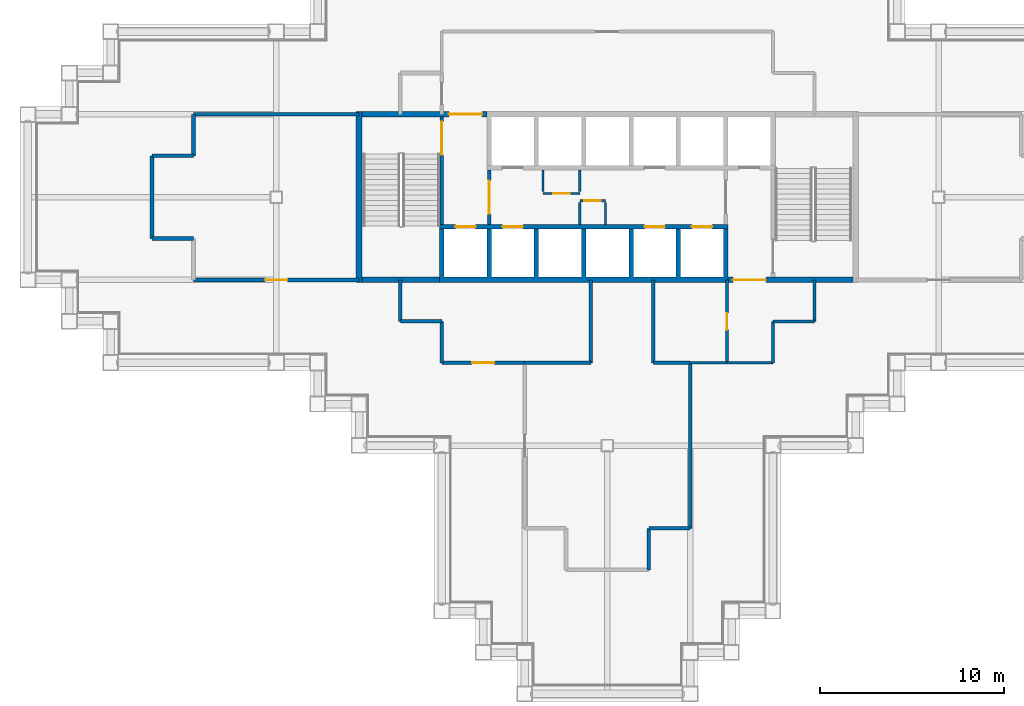
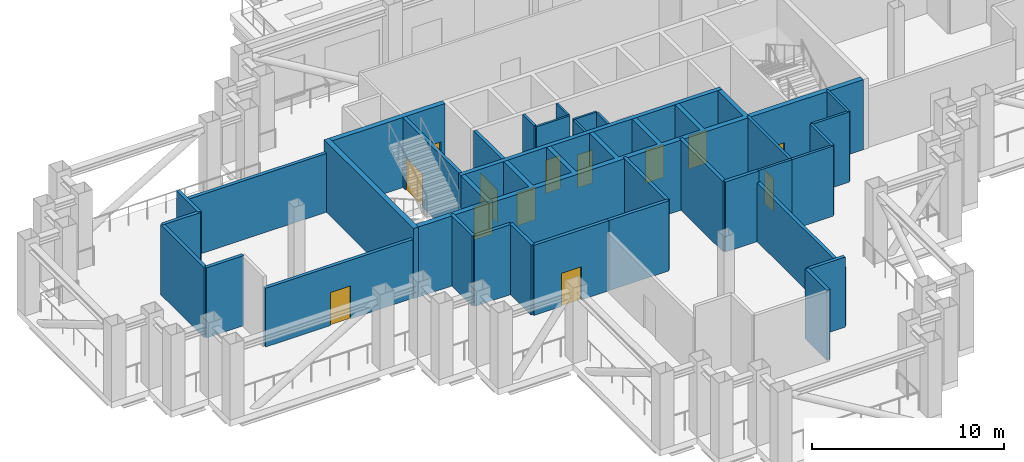
# One storey, part 3 of 10: 37 walls, 13 doors, 13 openings.
"""IFC4 building model written with IfcOpenShell, lengths in metres."""

from ifc_helpers import new_model, si_unit, direction, frame, frame_2d, origin, place, context, subcontext, project, spatial, polyline, rectangle, outline, extrude, material, layer, layer_set, type_object, element, fill, save


model = new_model("IFC4")

# Units and contexts
model_context = context("Model", 3, precision=1e-05, world=origin(), true_north=direction((0.0, 1.0)))
body_context = subcontext(model_context, "Body", "Model", "MODEL_VIEW")
ifc_project = project(units=[si_unit("LENGTHUNIT", "METRE"), si_unit("AREAUNIT", "SQUARE_METRE"), si_unit("VOLUMEUNIT", "CUBIC_METRE"), si_unit("PLANEANGLEUNIT", "RADIAN"), si_unit("MASSUNIT", "GRAM", prefix="KILO")], contexts=[model_context])

# Site, building, storey
site_placement = place(None, origin())
site = spatial("IfcSite", under=ifc_project, at=site_placement, CompositionType="ELEMENT")
building_placement = place(site_placement, origin())
building = spatial("IfcBuilding", under=site, at=building_placement, Name="Caravel Reach Hotel and Residences", CompositionType="ELEMENT")
storey_placement = place(building_placement, frame((0.0, 0.0, 140.39990234375)))
storey = spatial("IfcBuildingStorey", under=building, at=storey_placement, Name="L35", CompositionType="ELEMENT", Elevation=140.39990234375)

# Wall, opening, door
ifc_material_1 = material(Name="Autoclaved aerated block wall")
ifc_layer_1 = layer(ifc_material_1, 0.199951171875)
ifc_layer_set_1 = layer_set([ifc_layer_1], Name="Compartment wall 200 mm EI 120")
wall_type_1 = type_object("IfcWallType", Name="Compartment wall 200 mm EI 120", PredefinedType="PARTITIONING", material=ifc_layer_set_1)
wall_1_placement = place(storey_placement, frame((22.5, 18.0, 0.0), z_axis=(0.0, 0.0, 1.0), x_axis=(1.0, 0.0, 0.0)))
wall_1 = element("IfcWall", 1, at=wall_1_placement, inside=storey, type_object=wall_type_1, Name="L35 wall w012", PredefinedType="PARTITIONING", context=body_context, shape_type="SweptSolid", body=[
    extrude(rectangle(XDim=4.5, YDim=0.199951171875, at=frame_2d((2.25, 0.0))), origin(), (0.0, 0.0, 1.0), 4.4501953125),
])
opening_1_placement = place(wall_1_placement, frame((1.64990234375, 0.0, 0.0)))
opening_1 = element("IfcOpeningElement", 2, at=opening_1_placement, cuts=wall_1, Name="Opening D35-016", PredefinedType="OPENING", context=body_context, shape_type="SweptSolid", body=[
    extrude(rectangle(XDim=1.199951171875, YDim=2.10009765625, at=frame_2d((0.60009765625, 1.050048828125))), frame((0.0, 0.10986328125, 0.0), z_axis=(0.0, -1.0, 0.0), x_axis=(1.0, 0.0, 0.0)), (0.0, 0.0, 1.0), 0.219970703125),
])
ifc_material_2 = material(Name="Steel fire door leaf", Category="steel")
door_type_1 = type_object("IfcDoorType", Name="Plant room door 1200 x 2100 EI 60", OperationType="SINGLE_SWING_LEFT", PredefinedType="DOOR", material=ifc_material_2)
door_1_placement = place(opening_1_placement, origin())
door_1 = element("IfcDoor", 3, at=door_1_placement, inside=storey, type_object=door_type_1, Name="door D35-016", OperationType="SINGLE_SWING_LEFT", OverallHeight=2.10009765625, OverallWidth=1.199951171875, PredefinedType="DOOR", context=body_context, shape_type="SweptSolid", body=[
    extrude(rectangle(XDim=1.199951171875, YDim=2.10009765625, at=frame_2d((0.60009765625, 1.050048828125))), frame((0.0, 0.02490234375, 0.0), z_axis=(0.0, -1.0, 0.0), x_axis=(1.0, 0.0, 0.0)), (0.0, 0.0, 1.0), 0.050048828125),
])
fill(opening_1, door_1)

# Walls
wall_2_placement = place(storey_placement, frame((27.0, 18.0, 0.0), z_axis=(0.0, 0.0, 1.0), x_axis=(1.0, 0.0, 0.0)))
element("IfcWall", 4, at=wall_2_placement, inside=storey, type_object=wall_type_1, Name="L35 wall w013", PredefinedType="PARTITIONING", context=body_context, shape_type="SweptSolid", body=[
    extrude(rectangle(XDim=3.60009765625, YDim=0.199951171875, at=frame_2d((1.800048828125, 0.0))), origin(), (0.0, 0.0, 1.0), 4.4501953125),
])
wall_3_placement = place(storey_placement, frame((34.0, 18.0, 0.0), z_axis=(0.0, 0.0, 1.0), x_axis=(1.0, 0.0, 0.0)))
element("IfcWall", 5, at=wall_3_placement, inside=storey, type_object=wall_type_1, Name="L35 wall w014", PredefinedType="PARTITIONING", context=body_context, shape_type="SweptSolid", body=[
    extrude(rectangle(XDim=2.0, YDim=0.199951171875, at=frame_2d((1.0, 0.0))), origin(), (0.0, 0.0, 1.0), 4.4501953125),
])
wall_4_placement = place(storey_placement, frame((20.25, 20.25, 0.0), z_axis=(0.0, 0.0, 1.0), x_axis=(1.0, 0.0, 0.0)))
element("IfcWall", 6, at=wall_4_placement, inside=storey, type_object=wall_type_1, Name="L35 wall w015", PredefinedType="PARTITIONING", context=body_context, shape_type="SweptSolid", body=[
    extrude(rectangle(XDim=2.25, YDim=0.199951171875, at=frame_2d((1.125, 0.0))), origin(), (0.0, 0.0, 1.0), 4.4501953125),
])

# Wall, opening, door
wall_5_placement = place(storey_placement, frame((9.0, 22.5, 0.0), z_axis=(0.0, 0.0, 1.0), x_axis=(1.0, 0.0, 0.0)))
wall_5 = element("IfcWall", 7, at=wall_5_placement, inside=storey, type_object=wall_type_1, Name="L35 wall w016", PredefinedType="PARTITIONING", context=body_context, shape_type="SweptSolid", body=[
    extrude(rectangle(XDim=9.0, YDim=0.199951171875, at=frame_2d((4.5, 0.0))), origin(), (0.0, 0.0, 1.0), 3.72998046875),
])
opening_2_placement = place(wall_5_placement, frame((3.89990234375, 0.0, 0.0)))
opening_2 = element("IfcOpeningElement", 8, at=opening_2_placement, cuts=wall_5, Name="Opening D35-020", PredefinedType="OPENING", context=body_context, shape_type="SweptSolid", body=[
    extrude(rectangle(XDim=1.199951171875, YDim=2.10009765625, at=frame_2d((0.60009765625, 1.050048828125))), frame((0.0, 0.10986328125, 0.0), z_axis=(0.0, -1.0, 0.0), x_axis=(1.0, 0.0, 0.0)), (0.0, 0.0, 1.0), 0.219970703125),
])
door_2_placement = place(opening_2_placement, origin())
door_2 = element("IfcDoor", 9, at=door_2_placement, inside=storey, type_object=door_type_1, Name="door D35-020", OperationType="SINGLE_SWING_RIGHT", OverallHeight=2.10009765625, OverallWidth=1.199951171875, PredefinedType="DOOR", context=body_context, shape_type="SweptSolid", body=[
    extrude(rectangle(XDim=1.199951171875, YDim=2.10009765625, at=frame_2d((0.60009765625, 1.050048828125))), frame((0.0, 0.02490234375, 0.0), z_axis=(0.0, -1.0, 0.0), x_axis=(1.0, 0.0, 0.0)), (0.0, 0.0, 1.0), 0.050048828125),
])
fill(opening_2, door_2)

# Walls
for number, where, z_axis, x_axis, name in (
    (10, (6.75, 24.75, 0.0), (0.0, 0.0, 1.0), (1.0, 0.0, 0.0), "L35 wall w018"),
    (11, (6.75, 29.25, 0.0), (0.0, 0.0, 1.0), (1.0, 0.0, 0.0), "L35 wall w020"),
):
    element("IfcWall", number, at=place(storey_placement, frame(where, z_axis=z_axis, x_axis=x_axis)), inside=storey, type_object=wall_type_1, Name=name, PredefinedType="PARTITIONING", context=body_context, shape_type="SweptSolid", body=[
        extrude(rectangle(XDim=2.25, YDim=0.199951171875, at=frame_2d((1.125, 0.0))), origin(), (0.0, 0.0, 1.0), 4.4501953125),
    ])
wall_6_placement = place(storey_placement, frame((9.0, 31.5, 0.0), z_axis=(0.0, 0.0, 1.0), x_axis=(1.0, 0.0, 0.0)))
element("IfcWall", 12, at=wall_6_placement, inside=storey, type_object=wall_type_1, Name="L35 wall w022", PredefinedType="PARTITIONING", context=body_context, shape_type="SweptSolid", body=[
    extrude(rectangle(XDim=9.0, YDim=0.199951171875, at=frame_2d((4.5, 0.0))), origin(), (0.0, 0.0, 1.0), 3.72998046875),
])
for number, where, z_axis, x_axis, name in (
    (13, (33.75, 9.0, 0.0), (0.0, 0.0, 1.0), (1.0, 0.0, 0.0), "L35 wall w027"),
    (14, (20.25, 20.25, 0.0), (0.0, 0.0, 1.0), (0.0, 1.0, 0.0), "L35 wall w028"),
    (15, (22.5, 18.0, 0.0), (0.0, 0.0, 1.0), (0.0, 1.0, 0.0), "L35 wall w030"),
):
    element("IfcWall", number, at=place(storey_placement, frame(where, z_axis=z_axis, x_axis=x_axis)), inside=storey, type_object=wall_type_1, Name=name, PredefinedType="PARTITIONING", context=body_context, shape_type="SweptSolid", body=[
        extrude(rectangle(XDim=2.25, YDim=0.199951171875, at=frame_2d((1.125, 0.0))), origin(), (0.0, 0.0, 1.0), 4.4501953125),
    ])
wall_7_placement = place(storey_placement, frame((30.60009765625, 18.0, 0.0), z_axis=(0.0, 0.0, 1.0), x_axis=(0.0, 1.0, 0.0)))
element("IfcWall", 16, at=wall_7_placement, inside=storey, type_object=wall_type_1, Name="L35 wall w034", PredefinedType="PARTITIONING", context=body_context, shape_type="SweptSolid", body=[
    extrude(rectangle(XDim=4.5, YDim=0.199951171875, at=frame_2d((2.25, 0.0))), origin(), (0.0, 0.0, 1.0), 4.4501953125),
])
wall_8_placement = place(storey_placement, frame((33.75, 6.75, 0.0), z_axis=(0.0, 0.0, 1.0), x_axis=(0.0, 1.0, 0.0)))
element("IfcWall", 17, at=wall_8_placement, inside=storey, type_object=wall_type_1, Name="L35 wall w035", PredefinedType="PARTITIONING", context=body_context, shape_type="SweptSolid", body=[
    extrude(rectangle(XDim=2.25, YDim=0.199951171875, at=frame_2d((1.125, 0.0))), origin(), (0.0, 0.0, 1.0), 4.4501953125),
])
wall_9_placement = place(storey_placement, frame((34.0, 18.0, 0.0), z_axis=(0.0, 0.0, 1.0), x_axis=(0.0, 1.0, 0.0)))
element("IfcWall", 18, at=wall_9_placement, inside=storey, type_object=wall_type_1, Name="L35 wall w036", PredefinedType="PARTITIONING", context=body_context, shape_type="SweptSolid", body=[
    extrude(rectangle(XDim=4.5, YDim=0.199951171875, at=frame_2d((2.25, 0.0))), origin(), (0.0, 0.0, 1.0), 4.4501953125),
])
wall_10_placement = place(storey_placement, frame((36.0, 9.0, 0.0), z_axis=(0.0, 0.0, 1.0), x_axis=(0.0, 1.0, 0.0)))
element("IfcWall", 19, at=wall_10_placement, inside=storey, type_object=wall_type_1, Name="L35 wall w037", PredefinedType="PARTITIONING", context=body_context, shape_type="SweptSolid", body=[
    extrude(rectangle(XDim=9.0, YDim=0.199951171875, at=frame_2d((4.5, 0.0))), origin(), (0.0, 0.0, 1.0), 3.72998046875),
])
wall_11_placement = place(storey_placement, frame((6.75, 24.75, 0.0), z_axis=(0.0, 0.0, 1.0), x_axis=(0.0, 1.0, 0.0)))
element("IfcWall", 20, at=wall_11_placement, inside=storey, type_object=wall_type_1, Name="L35 wall w041", PredefinedType="PARTITIONING", context=body_context, shape_type="SweptSolid", body=[
    extrude(rectangle(XDim=4.5, YDim=0.199951171875, at=frame_2d((2.25, 0.0))), origin(), (0.0, 0.0, 1.0), 4.4501953125),
])
wall_12_placement = place(storey_placement, frame((9.0, 29.25, 0.0), z_axis=(0.0, 0.0, 1.0), x_axis=(0.0, 1.0, 0.0)))
element("IfcWall", 21, at=wall_12_placement, inside=storey, type_object=wall_type_1, Name="L35 wall w043", PredefinedType="PARTITIONING", context=body_context, shape_type="SweptSolid", body=[
    extrude(rectangle(XDim=2.25, YDim=0.199951171875, at=frame_2d((1.125, 0.0))), origin(), (0.0, 0.0, 1.0), 4.4501953125),
])
ifc_material_3 = material(Name="Concrete C60", Category="concrete")
ifc_layer_2 = layer(ifc_material_3, 0.300048828125)
ifc_layer_set_2 = layer_set([ifc_layer_2], Name="Core wall 300 mm EI 120")
wall_type_2 = type_object("IfcWallType", Name="Core wall 300 mm EI 120", PredefinedType="SHEAR", material=ifc_layer_set_2)
wall_13_placement = place(storey_placement, frame((18.14990234375, 22.5, 0.0), z_axis=(0.0, 0.0, 1.0), x_axis=(1.0, 0.0, 0.0)))
element("IfcWall", 22, at=wall_13_placement, inside=storey, type_object=wall_type_2, Name="L35 core wall S1", PredefinedType="SHEAR", context=body_context, shape_type="SweptSolid", body=[
    extrude(rectangle(XDim=4.22509765625, YDim=0.300048828125, at=frame_2d((2.112548828125, 0.0))), origin(), (0.0, 0.0, 1.0), 4.4501953125),
])

# Wall, opening, door
wall_14_placement = place(storey_placement, frame((38.053466796875, 22.5, 0.0), z_axis=(0.0, 0.0, 1.0), x_axis=(1.0, 0.0, 0.0)))
wall_14 = element("IfcWall", 23, at=wall_14_placement, inside=storey, type_object=wall_type_2, Name="L35 core wall S2", PredefinedType="SHEAR", context=body_context, shape_type="SweptSolid", body=[
    extrude(rectangle(XDim=6.796630859375, YDim=0.300048828125, at=frame_2d((3.3984375, 0.0))), origin(), (0.0, 0.0, 1.0), 4.4501953125),
])
opening_3_placement = place(wall_14_placement, frame((0.2607421875, 0.0, 0.0)))
opening_3 = element("IfcOpeningElement", 24, at=opening_3_placement, cuts=wall_14, Name="Opening D35-015", PredefinedType="OPENING", context=body_context, shape_type="SweptSolid", body=[
    extrude(rectangle(XDim=1.800048828125, YDim=2.10009765625, at=frame_2d((0.89990234375, 1.050048828125))), frame((0.0, 0.159912109375, 0.0), z_axis=(0.0, -1.0, 0.0), x_axis=(1.0, 0.0, 0.0)), (0.0, 0.0, 1.0), 0.320068359375),
])
ifc_material_4 = material(Name="Steel fire door leaf", Category="steel")
door_type_2 = type_object("IfcDoorType", Name="Fire lobby door pair 1800 x 2100 EI 90", OperationType="DOUBLE_DOOR_SINGLE_SWING", PredefinedType="DOOR", material=ifc_material_4)
door_3_placement = place(opening_3_placement, origin())
door_3 = element("IfcDoor", 25, at=door_3_placement, inside=storey, type_object=door_type_2, Name="lobby S door pair to corridor", OperationType="DOUBLE_DOOR_SINGLE_SWING", OverallHeight=2.10009765625, OverallWidth=1.800048828125, PredefinedType="DOOR", context=body_context, shape_type="SweptSolid", body=[
    extrude(rectangle(XDim=1.800048828125, YDim=2.10009765625, at=frame_2d((0.89990234375, 1.050048828125))), frame((0.0, 0.02490234375, 0.0), z_axis=(0.0, -1.0, 0.0), x_axis=(1.0, 0.0, 0.0)), (0.0, 0.0, 1.0), 0.050048828125),
])
fill(opening_3, door_3)

wall_15_placement = place(storey_placement, frame((18.14990234375, 31.5, 0.0), z_axis=(0.0, 0.0, 1.0), x_axis=(1.0, 0.0, 0.0)))
wall_15 = element("IfcWall", 26, at=wall_15_placement, inside=storey, type_object=wall_type_2, Name="L35 core wall N1", PredefinedType="SHEAR", context=body_context, shape_type="SweptSolid", body=[
    extrude(rectangle(XDim=6.796630859375, YDim=0.300048828125, at=frame_2d((3.3984375, 0.0))), origin(), (0.0, 0.0, 1.0), 4.4501953125),
])
opening_4_placement = place(wall_15_placement, frame((4.735595703125, 0.0, 0.0)))
opening_4 = element("IfcOpeningElement", 27, at=opening_4_placement, cuts=wall_15, Name="Opening D35-014", PredefinedType="OPENING", context=body_context, shape_type="SweptSolid", body=[
    extrude(rectangle(XDim=1.800048828125, YDim=2.10009765625, at=frame_2d((0.89990234375, 1.050048828125))), frame((0.0, 0.159912109375, 0.0), z_axis=(0.0, -1.0, 0.0), x_axis=(1.0, 0.0, 0.0)), (0.0, 0.0, 1.0), 0.320068359375),
])
door_4_placement = place(opening_4_placement, origin())
door_4 = element("IfcDoor", 28, at=door_4_placement, inside=storey, type_object=door_type_2, Name="lobby N door pair to corridor", OperationType="DOUBLE_DOOR_SINGLE_SWING", OverallHeight=2.10009765625, OverallWidth=1.800048828125, PredefinedType="DOOR", context=body_context, shape_type="SweptSolid", body=[
    extrude(rectangle(XDim=1.800048828125, YDim=2.10009765625, at=frame_2d((0.89990234375, 1.050048828125))), frame((0.0, 0.02490234375, 0.0), z_axis=(0.0, -1.0, 0.0), x_axis=(1.0, 0.0, 0.0)), (0.0, 0.0, 1.0), 0.050048828125),
])
fill(opening_4, door_4)

# Walls
wall_16_placement = place(storey_placement, frame((18.0, 22.35009765625, 0.0), z_axis=(0.0, 0.0, 1.0), x_axis=(0.0, 1.0, 0.0)))
element("IfcWall", 29, at=wall_16_placement, inside=storey, type_object=wall_type_2, Name="L35 core wall W", PredefinedType="SHEAR", context=body_context, shape_type="SweptSolid", body=[
    extrude(rectangle(XDim=9.2998046875, YDim=0.300048828125, at=frame_2d((4.64990234375, 0.0))), origin(), (0.0, 0.0, 1.0), 4.4501953125),
])
ifc_material_5 = material(Name="Gypsum board on steel stud, fire-rated", Category="steel")
ifc_layer_3 = layer(ifc_material_5, 0.14990234375)
ifc_layer_set_3 = layer_set([ifc_layer_3], Name="Corridor wall 150 mm EI 60")
wall_type_3 = type_object("IfcWallType", Name="Corridor wall 150 mm EI 60", PredefinedType="PARTITIONING", material=ifc_layer_set_3)
wall_17_placement = place(storey_placement, frame((38.0, 18.0, 0.0), z_axis=(0.0, 0.0, 1.0), x_axis=(1.0, 0.0, 0.0)))
element("IfcWall", 30, at=wall_17_placement, inside=storey, type_object=wall_type_3, Name="L35 wall w001", PredefinedType="PARTITIONING", context=body_context, shape_type="SweptSolid", body=[
    extrude(rectangle(XDim=2.5, YDim=0.14990234375, at=frame_2d((1.25, 0.0))), origin(), (0.0, 0.0, 1.0), 4.4501953125),
])
wall_18_placement = place(storey_placement, frame((36.0, 18.0, 0.0), z_axis=(0.0, 0.0, 1.0), x_axis=(1.0, 0.0, 0.0)))
element("IfcWall", 31, at=wall_18_placement, inside=storey, type_object=wall_type_3, Name="L35 wall w002", PredefinedType="PARTITIONING", context=body_context, shape_type="SweptSolid", body=[
    extrude(rectangle(XDim=2.0, YDim=0.14990234375, at=frame_2d((1.0, 0.0))), origin(), (0.0, 0.0, 1.0), 4.4501953125),
])
wall_19_placement = place(storey_placement, frame((40.5, 20.25, 0.0), z_axis=(0.0, 0.0, 1.0), x_axis=(1.0, 0.0, 0.0)))
element("IfcWall", 32, at=wall_19_placement, inside=storey, type_object=wall_type_3, Name="L35 wall w003", PredefinedType="PARTITIONING", context=body_context, shape_type="SweptSolid", body=[
    extrude(rectangle(XDim=2.25, YDim=0.14990234375, at=frame_2d((1.125, 0.0))), origin(), (0.0, 0.0, 1.0), 4.4501953125),
])

# Wall, opening, door
wall_20_placement = place(storey_placement, frame((38.0, 18.0, 0.0), z_axis=(0.0, 0.0, 1.0), x_axis=(0.0, 1.0, 0.0)))
wall_20 = element("IfcWall", 33, at=wall_20_placement, inside=storey, type_object=wall_type_3, Name="L35 wall w007", PredefinedType="PARTITIONING", context=body_context, shape_type="SweptSolid", body=[
    extrude(rectangle(XDim=4.5, YDim=0.14990234375, at=frame_2d((2.25, 0.0))), origin(), (0.0, 0.0, 1.0), 4.4501953125),
])
opening_5_placement = place(wall_20_placement, frame((1.800048828125, 0.0, 0.0)))
opening_5 = element("IfcOpeningElement", 34, at=opening_5_placement, cuts=wall_20, Name="Opening D35-019", PredefinedType="OPENING", context=body_context, shape_type="SweptSolid", body=[
    extrude(rectangle(XDim=0.89990234375, YDim=2.10009765625, at=frame_2d((0.449951171875, 1.050048828125))), frame((0.0, 0.0849609375, 0.0), z_axis=(0.0, -1.0, 0.0), x_axis=(1.0, 0.0, 0.0)), (0.0, 0.0, 1.0), 0.169921875),
])
ifc_material_6 = material(Name="Timber and steel door leaf", Category="steel")
door_type_3 = type_object("IfcDoorType", Name="Door 900 x 2100 timber", OperationType="SINGLE_SWING_LEFT", PredefinedType="DOOR", material=ifc_material_6)
door_5_placement = place(opening_5_placement, origin())
door_5 = element("IfcDoor", 35, at=door_5_placement, inside=storey, type_object=door_type_3, Name="door D35-019", OperationType="SINGLE_SWING_LEFT", OverallHeight=2.10009765625, OverallWidth=0.89990234375, PredefinedType="DOOR", context=body_context, shape_type="SweptSolid", body=[
    extrude(rectangle(XDim=0.89990234375, YDim=2.10009765625, at=frame_2d((0.449951171875, 1.050048828125))), frame((0.0, 0.02490234375, 0.0), z_axis=(0.0, -1.0, 0.0), x_axis=(1.0, 0.0, 0.0)), (0.0, 0.0, 1.0), 0.050048828125),
])
fill(opening_5, door_5)

# Walls
for number, where, z_axis, x_axis, name in (
    (36, (40.5, 18.0, 0.0), (0.0, 0.0, 1.0), (0.0, 1.0, 0.0), "L35 wall w009"),
    (37, (42.75, 20.25, 0.0), (0.0, 0.0, 1.0), (0.0, 1.0, 0.0), "L35 wall w011"),
):
    element("IfcWall", number, at=place(storey_placement, frame(where, z_axis=z_axis, x_axis=x_axis)), inside=storey, type_object=wall_type_3, Name=name, PredefinedType="PARTITIONING", context=body_context, shape_type="SweptSolid", body=[
        extrude(rectangle(XDim=2.25, YDim=0.14990234375, at=frame_2d((1.125, 0.0))), origin(), (0.0, 0.0, 1.0), 4.4501953125),
    ])

# Wall, opening, door
ifc_material_7 = material(Name="Autoclaved aerated block wall")
ifc_layer_4 = layer(ifc_material_7, 0.199951171875)
ifc_layer_set_4 = layer_set([ifc_layer_4], Name="Fire lobby wall 200 mm EI 120")
wall_type_4 = type_object("IfcWallType", Name="Fire lobby wall 200 mm EI 120", PredefinedType="PARTITIONING", material=ifc_layer_set_4)
wall_21_placement = place(storey_placement, frame((25.071533203125, 25.52490234375, 0.0), z_axis=(0.0, 0.0, 1.0), x_axis=(0.0, 1.0, 0.0)))
wall_21 = element("IfcWall", 38, at=wall_21_placement, inside=storey, type_object=wall_type_4, Name="L35 lobby W wall", PredefinedType="PARTITIONING", context=body_context, shape_type="SweptSolid", body=[
    extrude(rectangle(XDim=2.9501953125, YDim=0.199951171875, at=frame_2d((1.47509765625, 0.0))), origin(), (0.0, 0.0, 1.0), 4.4501953125),
])
opening_6_placement = place(wall_21_placement, frame((0.574951171875, 0.0, 0.0)))
opening_6 = element("IfcOpeningElement", 39, at=opening_6_placement, cuts=wall_21, Name="Opening D35-012", PredefinedType="OPENING", context=body_context, shape_type="SweptSolid", body=[
    extrude(rectangle(XDim=1.800048828125, YDim=2.10009765625, at=frame_2d((0.89990234375, 1.050048828125))), frame((0.0, 0.10986328125, 0.0), z_axis=(0.0, -1.0, 0.0), x_axis=(1.0, 0.0, 0.0)), (0.0, 0.0, 1.0), 0.219970703125),
])
door_6_placement = place(opening_6_placement, origin())
door_6 = element("IfcDoor", 40, at=door_6_placement, inside=storey, type_object=door_type_2, Name="lobby W door pair", OperationType="DOUBLE_DOOR_SINGLE_SWING", OverallHeight=2.10009765625, OverallWidth=1.800048828125, PredefinedType="DOOR", context=body_context, shape_type="SweptSolid", body=[
    extrude(rectangle(XDim=1.800048828125, YDim=2.10009765625, at=frame_2d((0.89990234375, 1.050048828125))), frame((0.0, 0.02490234375, 0.0), z_axis=(0.0, -1.0, 0.0), x_axis=(1.0, 0.0, 0.0)), (0.0, 0.0, 1.0), 0.050048828125),
])
fill(opening_6, door_6)

ifc_material_8 = material(Name="Autoclaved aerated block wall")
ifc_layer_5 = layer(ifc_material_8, 0.125)
ifc_layer_set_5 = layer_set([ifc_layer_5], Name="Riser wall 125 mm EI 60")
wall_type_5 = type_object("IfcWallType", Name="Riser wall 125 mm EI 60", PredefinedType="PARTITIONING", material=ifc_layer_set_5)
wall_22_placement = place(storey_placement, frame((30.0, 26.800048828125, 0.0), z_axis=(0.0, 0.0, 1.0), x_axis=(1.0, 0.0, 0.0)))
wall_22 = element("IfcWall", 41, at=wall_22_placement, inside=storey, type_object=wall_type_5, Name="L35 service room wall S1", PredefinedType="PARTITIONING", context=body_context, shape_type="SweptSolid", body=[
    extrude(rectangle(XDim=1.39990234375, YDim=0.125, at=frame_2d((0.699951171875, 0.0))), origin(), (0.0, 0.0, 1.0), 4.4501953125),
])
opening_7_placement = place(wall_22_placement, frame((0.25, 0.0, 0.0)))
opening_7 = element("IfcOpeningElement", 42, at=opening_7_placement, cuts=wall_22, Name="Opening D35-008", PredefinedType="OPENING", context=body_context, shape_type="SweptSolid", body=[
    extrude(rectangle(XDim=0.89990234375, YDim=2.10009765625, at=frame_2d((0.449951171875, 1.050048828125))), frame((0.0, 0.072509765625, 0.0), z_axis=(0.0, -1.0, 0.0), x_axis=(1.0, 0.0, 0.0)), (0.0, 0.0, 1.0), 0.14501953125),
])
ifc_material_9 = material(Name="Steel fire door leaf", Category="steel")
door_type_4 = type_object("IfcDoorType", Name="Riser door 900 x 2100 EI 60", OperationType="SINGLE_SWING_LEFT", PredefinedType="DOOR", material=ifc_material_9)
door_7_placement = place(opening_7_placement, origin())
door_7 = element("IfcDoor", 43, at=door_7_placement, inside=storey, type_object=door_type_4, Name="Water treatment room door", OperationType="SINGLE_SWING_LEFT", OverallHeight=2.10009765625, OverallWidth=0.89990234375, PredefinedType="DOOR", context=body_context, shape_type="SweptSolid", body=[
    extrude(rectangle(XDim=0.89990234375, YDim=2.10009765625, at=frame_2d((0.449951171875, 1.050048828125))), frame((0.0, 0.02490234375, 0.0), z_axis=(0.0, -1.0, 0.0), x_axis=(1.0, 0.0, 0.0)), (0.0, 0.0, 1.0), 0.050048828125),
])
fill(opening_7, door_7)

# Walls
for number, where, z_axis, x_axis, name in (
    (44, (30.0, 25.52490234375, 0.0), (0.0, 0.0, 1.0), (0.0, 1.0, 0.0), "L35 service room partition S1"),
    (45, (31.39990234375, 25.52490234375, 0.0), (0.0, 0.0, 1.0), (0.0, 1.0, 0.0), "L35 service room partition S1"),
):
    element("IfcWall", number, at=place(storey_placement, frame(where, z_axis=z_axis, x_axis=x_axis)), inside=storey, type_object=wall_type_5, Name=name, PredefinedType="PARTITIONING", context=body_context, shape_type="SweptSolid", body=[
        extrude(rectangle(XDim=1.175048828125, YDim=0.125, at=frame_2d((0.58740234375, 0.0))), origin(), (0.0, 0.0, 1.0), 4.4501953125),
    ])

# Wall, opening, door
wall_23_placement = place(storey_placement, frame((28.0, 27.199951171875, 0.0), z_axis=(0.0, 0.0, 1.0), x_axis=(1.0, 0.0, 0.0)))
wall_23 = element("IfcWall", 46, at=wall_23_placement, inside=storey, type_object=wall_type_5, Name="L35 service room wall N1", PredefinedType="PARTITIONING", context=body_context, shape_type="SweptSolid", body=[
    extrude(rectangle(XDim=2.0, YDim=0.125, at=frame_2d((1.0, 0.0))), origin(), (0.0, 0.0, 1.0), 4.4501953125),
])
opening_8_placement = place(wall_23_placement, frame((0.550048828125, 0.0, 0.0)))
opening_8 = element("IfcOpeningElement", 47, at=opening_8_placement, cuts=wall_23, Name="Opening D35-009", PredefinedType="OPENING", context=body_context, shape_type="SweptSolid", body=[
    extrude(rectangle(XDim=0.89990234375, YDim=2.10009765625, at=frame_2d((0.449951171875, 1.050048828125))), frame((0.0, 0.072509765625, 0.0), z_axis=(0.0, -1.0, 0.0), x_axis=(1.0, 0.0, 0.0)), (0.0, 0.0, 1.0), 0.14501953125),
])
door_8_placement = place(opening_8_placement, origin())
door_8 = element("IfcDoor", 48, at=door_8_placement, inside=storey, type_object=door_type_4, Name="Spa linen store door", OperationType="SINGLE_SWING_LEFT", OverallHeight=2.10009765625, OverallWidth=0.89990234375, PredefinedType="DOOR", context=body_context, shape_type="SweptSolid", body=[
    extrude(rectangle(XDim=0.89990234375, YDim=2.10009765625, at=frame_2d((0.449951171875, 1.050048828125))), frame((0.0, 0.02490234375, 0.0), z_axis=(0.0, -1.0, 0.0), x_axis=(1.0, 0.0, 0.0)), (0.0, 0.0, 1.0), 0.050048828125),
])
fill(opening_8, door_8)

# Walls
for number, where, z_axis, x_axis, name in (
    (49, (28.0, 28.47509765625, 0.0), (0.0, 0.0, 1.0), (0.0, -1.0, 0.0), "L35 service room partition N1"),
    (50, (30.0, 28.47509765625, 0.0), (0.0, 0.0, 1.0), (0.0, -1.0, 0.0), "L35 service room partition N1"),
):
    element("IfcWall", number, at=place(storey_placement, frame(where, z_axis=z_axis, x_axis=x_axis)), inside=storey, type_object=wall_type_5, Name=name, PredefinedType="PARTITIONING", context=body_context, shape_type="SweptSolid", body=[
        extrude(rectangle(XDim=1.175048828125, YDim=0.125, at=frame_2d((0.58740234375, 0.0))), origin(), (0.0, 0.0, 1.0), 4.4501953125),
    ])
ifc_material_10 = material(Name="Concrete C60", Category="concrete")
ifc_layer_6 = layer(ifc_material_10, 0.25)
ifc_layer_set_6 = layer_set([ifc_layer_6], Name="Shaft wall 250 mm EI 120")
wall_type_6 = type_object("IfcWallType", Name="Shaft wall 250 mm EI 120", PredefinedType="SHEAR", material=ifc_layer_set_6)
wall_24_placement = place(storey_placement, origin())
element("IfcWall", 51, at=wall_24_placement, inside=storey, type_object=wall_type_6, Name="L35 lift shaft wall S1", PredefinedType="SHEAR", context=body_context, shape_type="SweptSolid", body=[
    extrude(outline(polyline([(22.375, 22.35009765625), (38.053466796875, 22.35009765625), (38.053466796875, 25.27490234375), (37.803466796875, 25.27490234375), (37.803466796875, 22.64990234375), (35.482177734375, 22.64990234375), (35.482177734375, 25.27490234375), (35.232177734375, 25.27490234375), (35.232177734375, 22.64990234375), (32.91064453125, 22.64990234375), (32.91064453125, 25.27490234375), (32.66064453125, 25.27490234375), (32.66064453125, 22.64990234375), (30.33935546875, 22.64990234375), (30.33935546875, 25.27490234375), (30.08935546875, 25.27490234375), (30.08935546875, 22.64990234375), (27.767822265625, 22.64990234375), (27.767822265625, 25.27490234375), (27.517822265625, 25.27490234375), (27.517822265625, 22.64990234375), (25.196533203125, 22.64990234375), (25.196533203125, 25.27490234375), (24.946533203125, 25.27490234375), (24.946533203125, 22.64990234375), (22.625, 22.64990234375), (22.625, 25.27490234375), (22.375, 25.27490234375), (22.375, 22.35009765625)])), origin(), (0.0, 0.0, 1.0), 4.4501953125),
])

# Wall, openings, doors
wall_25_placement = place(storey_placement, frame((22.375, 25.39990234375, 0.0), z_axis=(0.0, 0.0, 1.0), x_axis=(1.0, 0.0, 0.0)))
wall_25 = element("IfcWall", 52, at=wall_25_placement, inside=storey, type_object=wall_type_6, Name="L35 lobby wall S1", PredefinedType="SHEAR", context=body_context, shape_type="SweptSolid", body=[
    extrude(rectangle(XDim=15.678466796875, YDim=0.25, at=frame_2d((7.83935546875, 0.0))), origin(), (0.0, 0.0, 1.0), 4.4501953125),
])
opening_9_placement = place(wall_25_placement, frame((3.43212890625, 0.0, 0.0)))
opening_9 = element("IfcOpeningElement", 53, at=opening_9_placement, cuts=wall_25, Name="Opening D35-001", PredefinedType="OPENING", context=body_context, shape_type="SweptSolid", body=[
    extrude(rectangle(XDim=1.10009765625, YDim=2.10009765625, at=frame_2d((0.550048828125, 1.050048828125))), frame((0.0, 0.135009765625, 0.0), z_axis=(0.0, -1.0, 0.0), x_axis=(1.0, 0.0, 0.0)), (0.0, 0.0, 1.0), 0.27001953125),
])
opening_10_placement = place(wall_25_placement, frame((11.146484375, 0.0, 0.0)))
opening_10 = element("IfcOpeningElement", 54, at=opening_10_placement, cuts=wall_25, Name="Opening D35-002", PredefinedType="OPENING", context=body_context, shape_type="SweptSolid", body=[
    extrude(rectangle(XDim=1.10009765625, YDim=2.10009765625, at=frame_2d((0.550048828125, 1.050048828125))), frame((0.0, 0.135009765625, 0.0), z_axis=(0.0, -1.0, 0.0), x_axis=(1.0, 0.0, 0.0)), (0.0, 0.0, 1.0), 0.27001953125),
])
opening_11_placement = place(wall_25_placement, frame((13.718017578125, 0.0, 0.0)))
opening_11 = element("IfcOpeningElement", 55, at=opening_11_placement, cuts=wall_25, Name="Opening D35-003", PredefinedType="OPENING", context=body_context, shape_type="SweptSolid", body=[
    extrude(rectangle(XDim=1.10009765625, YDim=2.10009765625, at=frame_2d((0.550048828125, 1.050048828125))), frame((0.0, 0.135009765625, 0.0), z_axis=(0.0, -1.0, 0.0), x_axis=(1.0, 0.0, 0.0)), (0.0, 0.0, 1.0), 0.27001953125),
])
opening_12_placement = place(wall_25_placement, frame((0.860595703125, 0.0, 0.0)))
opening_12 = element("IfcOpeningElement", 56, at=opening_12_placement, cuts=wall_25, Name="Opening D35-006", PredefinedType="OPENING", context=body_context, shape_type="SweptSolid", body=[
    extrude(rectangle(XDim=1.10009765625, YDim=2.10009765625, at=frame_2d((0.550048828125, 1.050048828125))), frame((0.0, 0.135009765625, 0.0), z_axis=(0.0, -1.0, 0.0), x_axis=(1.0, 0.0, 0.0)), (0.0, 0.0, 1.0), 0.27001953125),
])
ifc_material_11 = material(Name="Stainless steel landing door", Category="steel")
door_type_5 = type_object("IfcDoorType", Name="Landing door LD 1100 x 2100 sliding", OperationType="DOUBLE_DOOR_SLIDING", PredefinedType="DOOR", material=ifc_material_11)
door_9_placement = place(opening_9_placement, origin())
door_9 = element("IfcDoor", 57, at=door_9_placement, inside=storey, type_object=door_type_5, Name="LP1 landing door", OperationType="DOUBLE_DOOR_SLIDING", OverallHeight=2.10009765625, OverallWidth=1.10009765625, PredefinedType="DOOR", context=body_context, shape_type="SweptSolid", body=[
    extrude(rectangle(XDim=1.10009765625, YDim=2.10009765625, at=frame_2d((0.550048828125, 1.050048828125))), frame((0.0, 0.02490234375, 0.0), z_axis=(0.0, -1.0, 0.0), x_axis=(1.0, 0.0, 0.0)), (0.0, 0.0, 1.0), 0.050048828125),
])
fill(opening_9, door_9)
door_10_placement = place(opening_10_placement, origin())
door_10 = element("IfcDoor", 58, at=door_10_placement, inside=storey, type_object=door_type_5, Name="LP2 landing door", OperationType="DOUBLE_DOOR_SLIDING", OverallHeight=2.10009765625, OverallWidth=1.10009765625, PredefinedType="DOOR", context=body_context, shape_type="SweptSolid", body=[
    extrude(rectangle(XDim=1.10009765625, YDim=2.10009765625, at=frame_2d((0.550048828125, 1.050048828125))), frame((0.0, 0.02490234375, 0.0), z_axis=(0.0, -1.0, 0.0), x_axis=(1.0, 0.0, 0.0)), (0.0, 0.0, 1.0), 0.050048828125),
])
fill(opening_10, door_10)
door_11_placement = place(opening_11_placement, origin())
door_11 = element("IfcDoor", 59, at=door_11_placement, inside=storey, type_object=door_type_5, Name="LP3 landing door", OperationType="DOUBLE_DOOR_SLIDING", OverallHeight=2.10009765625, OverallWidth=1.10009765625, PredefinedType="DOOR", context=body_context, shape_type="SweptSolid", body=[
    extrude(rectangle(XDim=1.10009765625, YDim=2.10009765625, at=frame_2d((0.550048828125, 1.050048828125))), frame((0.0, 0.02490234375, 0.0), z_axis=(0.0, -1.0, 0.0), x_axis=(1.0, 0.0, 0.0)), (0.0, 0.0, 1.0), 0.050048828125),
])
fill(opening_11, door_11)
door_12_placement = place(opening_12_placement, origin())
door_12 = element("IfcDoor", 60, at=door_12_placement, inside=storey, type_object=door_type_5, Name="FL1 landing door", OperationType="DOUBLE_DOOR_SLIDING", OverallHeight=2.10009765625, OverallWidth=1.10009765625, PredefinedType="DOOR", context=body_context, shape_type="SweptSolid", body=[
    extrude(rectangle(XDim=1.10009765625, YDim=2.10009765625, at=frame_2d((0.550048828125, 1.050048828125))), frame((0.0, 0.02490234375, 0.0), z_axis=(0.0, -1.0, 0.0), x_axis=(1.0, 0.0, 0.0)), (0.0, 0.0, 1.0), 0.050048828125),
])
fill(opening_12, door_12)

# Wall, opening, door
ifc_material_12 = material(Name="Concrete C60", Category="concrete")
ifc_layer_7 = layer(ifc_material_12, 0.199951171875)
ifc_layer_set_7 = layer_set([ifc_layer_7], Name="Stair enclosure wall 200 mm EI 120")
wall_type_7 = type_object("IfcWallType", Name="Stair enclosure wall 200 mm EI 120", PredefinedType="SHEAR", material=ifc_layer_set_7)
wall_26_placement = place(storey_placement, frame((22.5, 31.35009765625, 0.0), z_axis=(0.0, 0.0, 1.0), x_axis=(0.0, -1.0, 0.0)))
wall_26 = element("IfcWall", 61, at=wall_26_placement, inside=storey, type_object=wall_type_7, Name="L35 stair A wall", PredefinedType="SHEAR", context=body_context, shape_type="SweptSolid", body=[
    extrude(rectangle(XDim=5.8251953125, YDim=0.199951171875, at=frame_2d((2.91259765625, 0.0))), origin(), (0.0, 0.0, 1.0), 4.4501953125),
])
opening_13_placement = place(wall_26_placement, frame((0.25, 0.0, 0.0)))
opening_13 = element("IfcOpeningElement", 62, at=opening_13_placement, cuts=wall_26, Name="Opening D35-010", PredefinedType="OPENING", context=body_context, shape_type="SweptSolid", body=[
    extrude(rectangle(XDim=1.800048828125, YDim=2.10009765625, at=frame_2d((0.89990234375, 1.050048828125))), frame((0.0, 0.10986328125, 0.0), z_axis=(0.0, -1.0, 0.0), x_axis=(1.0, 0.0, 0.0)), (0.0, 0.0, 1.0), 0.219970703125),
])
ifc_material_13 = material(Name="Steel fire door leaf", Category="steel")
door_type_6 = type_object("IfcDoorType", Name="Stair door pair 1800 x 2100 EI 90", OperationType="DOUBLE_DOOR_SINGLE_SWING", PredefinedType="DOOR", material=ifc_material_13)
door_13_placement = place(opening_13_placement, origin())
door_13 = element("IfcDoor", 63, at=door_13_placement, inside=storey, type_object=door_type_6, Name="stair A door pair", OperationType="DOUBLE_DOOR_SINGLE_SWING", OverallHeight=2.10009765625, OverallWidth=1.800048828125, PredefinedType="DOOR", context=body_context, shape_type="SweptSolid", body=[
    extrude(rectangle(XDim=1.800048828125, YDim=2.10009765625, at=frame_2d((0.89990234375, 1.050048828125))), frame((0.0, 0.02490234375, 0.0), z_axis=(0.0, -1.0, 0.0), x_axis=(1.0, 0.0, 0.0)), (0.0, 0.0, 1.0), 0.050048828125),
])
fill(opening_13, door_13)

save(model, "model.ifc")
